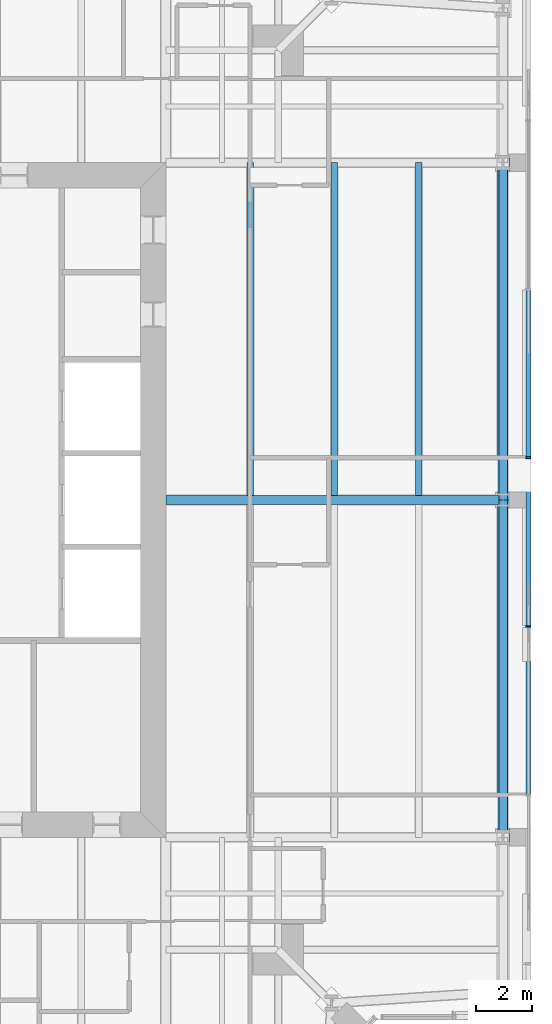
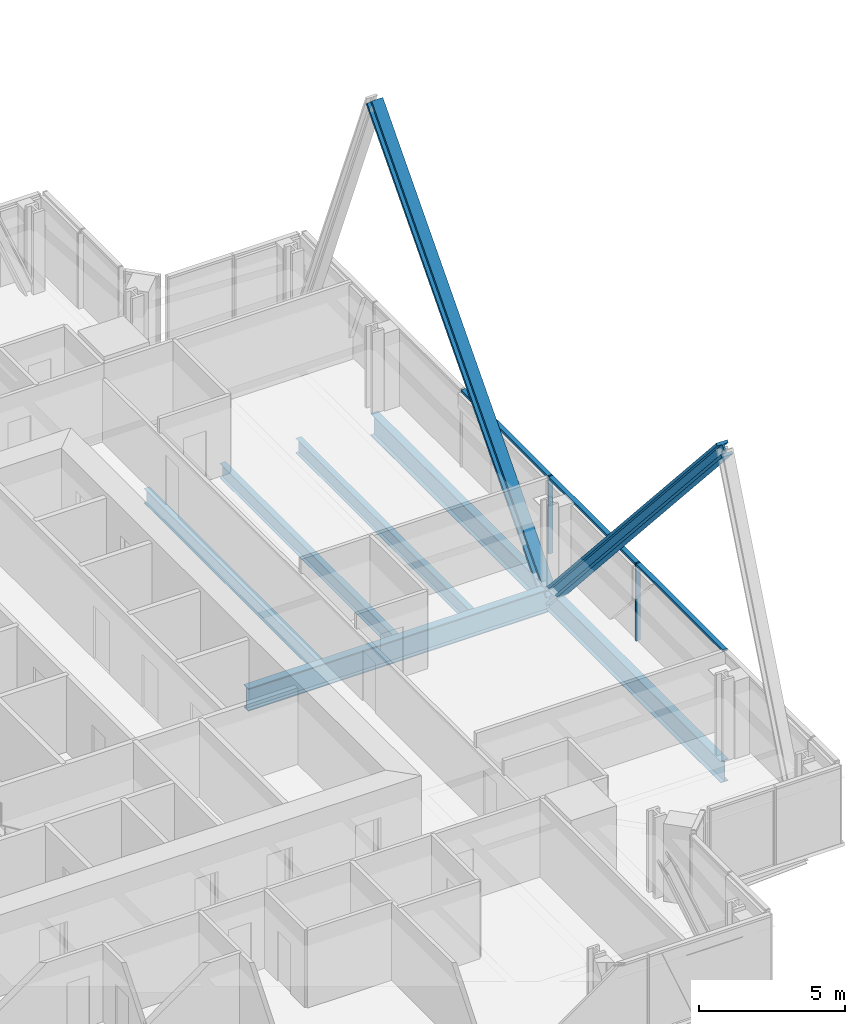
# One storey, part 6 of 19: 7 members, 6 beams, 1 element without a shape of its own.
"""IFC4 building model written with IfcOpenShell, lengths in metres."""

from ifc_helpers import new_model, si_unit, direction, frame, origin, origin_2d, place, context, subcontext, project, spatial, rectangle, i_section, extrude, material, material_profile, profile_set, type_object, element, aggregate, save


model = new_model("IFC4")

# Units and contexts
model_context = context("Model", 3, precision=1e-05, world=origin(), true_north=direction((0.0, 1.0)))
body_context = subcontext(model_context, "Body", "Model", "MODEL_VIEW")
ifc_project = project(units=[si_unit("LENGTHUNIT", "METRE"), si_unit("AREAUNIT", "SQUARE_METRE"), si_unit("VOLUMEUNIT", "CUBIC_METRE"), si_unit("PLANEANGLEUNIT", "RADIAN"), si_unit("MASSUNIT", "GRAM", prefix="KILO")], contexts=[model_context])

# Site, building, storey
site_placement = place(None, origin())
site = spatial("IfcSite", under=ifc_project, at=site_placement, CompositionType="ELEMENT")
building_placement = place(site_placement, origin())
building = spatial("IfcBuilding", under=site, at=building_placement, Name="Fenwick Lantern Interchange", CompositionType="ELEMENT")
storey_placement = place(building_placement, frame((0.0, 0.0, 283.199951171875)))
storey = spatial("IfcBuildingStorey", under=building, at=storey_placement, Name="L68", CompositionType="ELEMENT", Elevation=283.199951171875)

# Beams
ifc_material_1 = material(Name="Steel ASTM A992 Grade 50", Category="steel")
ifc_material_profile_1 = material_profile(ifc_material_1, i_section(OverallWidth=0.3046875, OverallDepth=0.911865234375, WebThickness=0.015869140625, FlangeThickness=0.02392578125, at=origin_2d()), Name="W36X150")
ifc_profile_set_1 = profile_set([ifc_material_profile_1], Name="Steel ASTM A992 Grade 50")
beam_type_1 = type_object("IfcBeamType", Name="EDGE BEAM W36X150", PredefinedType="SPANDREL", material=ifc_profile_set_1)
for number, where, z_axis, x_axis, name in (
    (1, (49.0, 13.0, -0.60595703125), (0.0, 1.0, 0.0), (-1.0, 0.0, 0.0), "L68/FR/E/EB2"),
    (2, (49.0, 25.0, -0.60595703125), (0.0, 1.0, 0.0), (-1.0, 0.0, 0.0), "L68/FR/E/EB3"),
):
    element("IfcBeam", number, at=place(storey_placement, frame(where, z_axis=z_axis, x_axis=x_axis)), inside=storey, type_object=beam_type_1, Name=name, PredefinedType="SPANDREL", context=body_context, shape_type="SweptSolid", body=[
        extrude(i_section(OverallWidth=0.3046875, OverallDepth=0.911865234375, WebThickness=0.015869140625, FlangeThickness=0.02392578125, at=origin_2d()), origin(), (0.0, 0.0, 1.0), 12.0),
    ])

# Members
ifc_material_profile_2 = material_profile(ifc_material_1, i_section(OverallWidth=0.44189453125, OverallDepth=0.53076171875, WebThickness=0.06591796875, FlangeThickness=0.105712890625, at=origin_2d()), Name="W14X605")
ifc_profile_set_2 = profile_set([ifc_material_profile_2], Name="Steel ASTM A992 Grade 50")
member_type_1 = type_object("IfcMemberType", Name="FACADE BRACE W14X605", PredefinedType="BRACE", material=ifc_profile_set_2)
for number, where, z_axis, x_axis, name in (
    (3, (49.0, 25.0, -0.60595703125), (0.0, -0.66476668545, 0.747051038361), (1.0, 0.0, 0.0), "L68/FB/E/A"),
    (4, (49.0, 25.0, -0.60595703125), (0.0, 0.66476668545, 0.747051038361), (-1.0, 0.0, 0.0), "L68/FB/E/B"),
):
    element("IfcMember", number, at=place(storey_placement, frame(where, z_axis=z_axis, x_axis=x_axis)), inside=storey, type_object=member_type_1, Name=name, PredefinedType="BRACE", context=body_context, shape_type="SweptSolid", body=[
        extrude(i_section(OverallWidth=0.44189453125, OverallDepth=0.53076171875, WebThickness=0.06591796875, FlangeThickness=0.105712890625, at=origin_2d()), origin(), (0.0, 0.0, 1.0), 18.051513671875),
    ])

# Beams
ifc_material_profile_3 = material_profile(ifc_material_1, i_section(OverallWidth=0.22900390625, OverallDepth=0.612060546875, WebThickness=0.011962890625, FlangeThickness=0.01953125, at=origin_2d()), Name="W24X84")
ifc_profile_set_3 = profile_set([ifc_material_profile_3], Name="Steel ASTM A992 Grade 50")
beam_type_2 = type_object("IfcBeamType", Name="FLOOR BEAM W24X84", PredefinedType="BEAM", material=ifc_profile_set_3)
for number, where, z_axis, x_axis, name in (
    (5, (46.0, 25.155029296875, -0.4560546875), (0.0, 1.0, 0.0), (-1.0, 0.0, 0.0), "L68/FR/E/B04"),
    (6, (43.0, 25.155029296875, -0.4560546875), (0.0, 1.0, 0.0), (-1.0, 0.0, 0.0), "L68/FR/E/B05"),
    (7, (40.0, 25.155029296875, -0.4560546875), (0.0, 1.0, 0.0), (-1.0, 0.0, 0.0), "L68/FR/E/B06"),
):
    element("IfcBeam", number, at=place(storey_placement, frame(where, z_axis=z_axis, x_axis=x_axis)), inside=storey, type_object=beam_type_2, Name=name, PredefinedType="BEAM", context=body_context, shape_type="SweptSolid", body=[
        extrude(i_section(OverallWidth=0.22900390625, OverallDepth=0.612060546875, WebThickness=0.011962890625, FlangeThickness=0.01953125, at=origin_2d()), origin(), (0.0, 0.0, 1.0), 11.844970703125),
    ])

# Curtain wall, members
ifc_material_2 = material(Name="Aluminium curtain wall frame", Category="aluminium")
curtain_wall_type = type_object("IfcCurtainWallType", Name="HOTEL CURTAIN WALL", PredefinedType="USERDEFINED", material=ifc_material_2)
curtain_wall_placement = place(storey_placement, origin())
curtain_wall = element("IfcCurtainWall", 8, at=curtain_wall_placement, inside=storey, type_object=curtain_wall_type, Name="Hotel curtain wall 05", ObjectType="HOTEL CURTAIN WALL", PredefinedType="USERDEFINED")
ifc_material_3 = material(Name="Aluminium extrusion", Category="aluminium")
ifc_material_profile_4 = material_profile(ifc_material_3, rectangle(XDim=0.179931640625, YDim=0.06005859375, at=origin_2d()), Name="HOTEL CURTAIN WALL MULLION 60 X 180")
ifc_profile_set_4 = profile_set([ifc_material_profile_4], Name="Aluminium extrusion")
member_type_2 = type_object("IfcMemberType", Name="HOTEL CURTAIN WALL MULLION 60 X 180", PredefinedType="MULLION", material=ifc_profile_set_4)
member_1_placement = place(storey_placement, frame((49.89990234375, 20.5, 0.0), z_axis=(0.0, 0.0, 1.0), x_axis=(-1.0, 0.0, 0.0)))
member_1 = element("IfcMember", 9, at=member_1_placement, type_object=member_type_2, Name="L68/CW/05/M03", PredefinedType="MULLION", context=body_context, shape_type="SweptSolid", body=[
    extrude(rectangle(XDim=0.179931640625, YDim=0.06005859375, at=origin_2d()), origin(), (0.0, 0.0, 1.0), 3.25),
])
member_2_placement = place(storey_placement, frame((49.89990234375, 26.5, 0.0), z_axis=(0.0, 0.0, 1.0), x_axis=(-1.0, 0.0, 0.0)))
member_2 = element("IfcMember", 10, at=member_2_placement, type_object=member_type_2, Name="L68/CW/05/M04", PredefinedType="MULLION", context=body_context, shape_type="SweptSolid", body=[
    extrude(rectangle(XDim=0.179931640625, YDim=0.06005859375, at=origin_2d()), origin(), (0.0, 0.0, 1.0), 3.25),
])
ifc_material_profile_5 = material_profile(ifc_material_3, rectangle(XDim=0.179931640625, YDim=0.10009765625, at=origin_2d()), Name="HOTEL CURTAIN WALL TRANSOM 100 X 180")
ifc_profile_set_5 = profile_set([ifc_material_profile_5], Name="Aluminium extrusion")
member_type_3 = type_object("IfcMemberType", Name="HOTEL CURTAIN WALL TRANSOM 100 X 180", PredefinedType="MULLION", material=ifc_profile_set_5)
member_3_placement = place(storey_placement, frame((49.89990234375, 14.530029296875, 3.199951171875), z_axis=(0.0, 1.0, 0.0), x_axis=(-1.0, 0.0, 0.0)))
member_3 = element("IfcMember", 11, at=member_3_placement, type_object=member_type_3, Name="L68/CW/05/T02", PredefinedType="MULLION", context=body_context, shape_type="SweptSolid", body=[
    extrude(rectangle(XDim=0.179931640625, YDim=0.10009765625, at=origin_2d()), origin(), (0.0, 0.0, 1.0), 5.93994140625),
])
member_4_placement = place(storey_placement, frame((49.89990234375, 20.530029296875, 3.199951171875), z_axis=(0.0, 1.0, 0.0), x_axis=(-1.0, 0.0, 0.0)))
member_4 = element("IfcMember", 12, at=member_4_placement, type_object=member_type_3, Name="L68/CW/05/T03", PredefinedType="MULLION", context=body_context, shape_type="SweptSolid", body=[
    extrude(rectangle(XDim=0.179931640625, YDim=0.10009765625, at=origin_2d()), origin(), (0.0, 0.0, 1.0), 5.93994140625),
])
member_5_placement = place(storey_placement, frame((49.89990234375, 26.530029296875, 3.199951171875), z_axis=(0.0, 1.0, 0.0), x_axis=(-1.0, 0.0, 0.0)))
member_5 = element("IfcMember", 13, at=member_5_placement, type_object=member_type_3, Name="L68/CW/05/T04", PredefinedType="MULLION", context=body_context, shape_type="SweptSolid", body=[
    extrude(rectangle(XDim=0.179931640625, YDim=0.10009765625, at=origin_2d()), origin(), (0.0, 0.0, 1.0), 5.93994140625),
])
aggregate(curtain_wall, [member_1, member_2, member_3, member_4, member_5])

# Beam
ifc_material_profile_6 = material_profile(ifc_material_1, i_section(OverallWidth=0.309814453125, OverallDepth=0.949951171875, WebThickness=0.0244140625, FlangeThickness=0.0439453125, at=origin_2d()), Name="W36X256")
ifc_profile_set_6 = profile_set([ifc_material_profile_6], Name="Steel ASTM A992 Grade 50")
beam_type_3 = type_object("IfcBeamType", Name="MOMENT-CONNECTED GIRDER W36X256", PredefinedType="BEAM", material=ifc_profile_set_6)
beam_placement = place(storey_placement, frame((49.0, 25.0, -0.625), z_axis=(-1.0, 0.0, 0.0), x_axis=(0.0, -1.0, 0.0)))
element("IfcBeam", 14, at=beam_placement, inside=storey, type_object=beam_type_3, Name="L68/FR/E/R02", PredefinedType="BEAM", context=body_context, shape_type="SweptSolid", body=[
    extrude(i_section(OverallWidth=0.309814453125, OverallDepth=0.949951171875, WebThickness=0.0244140625, FlangeThickness=0.0439453125, at=origin_2d()), origin(), (0.0, 0.0, 1.0), 12.0),
])

save(model, "model.ifc")
